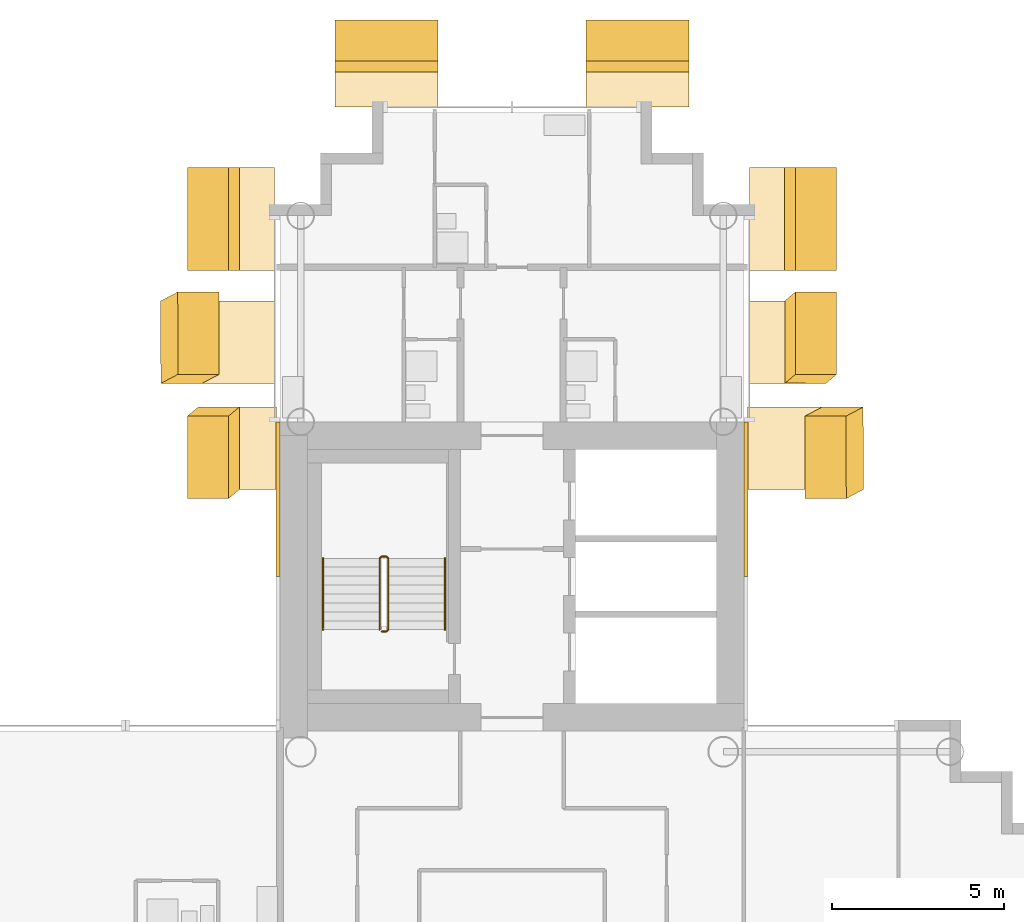
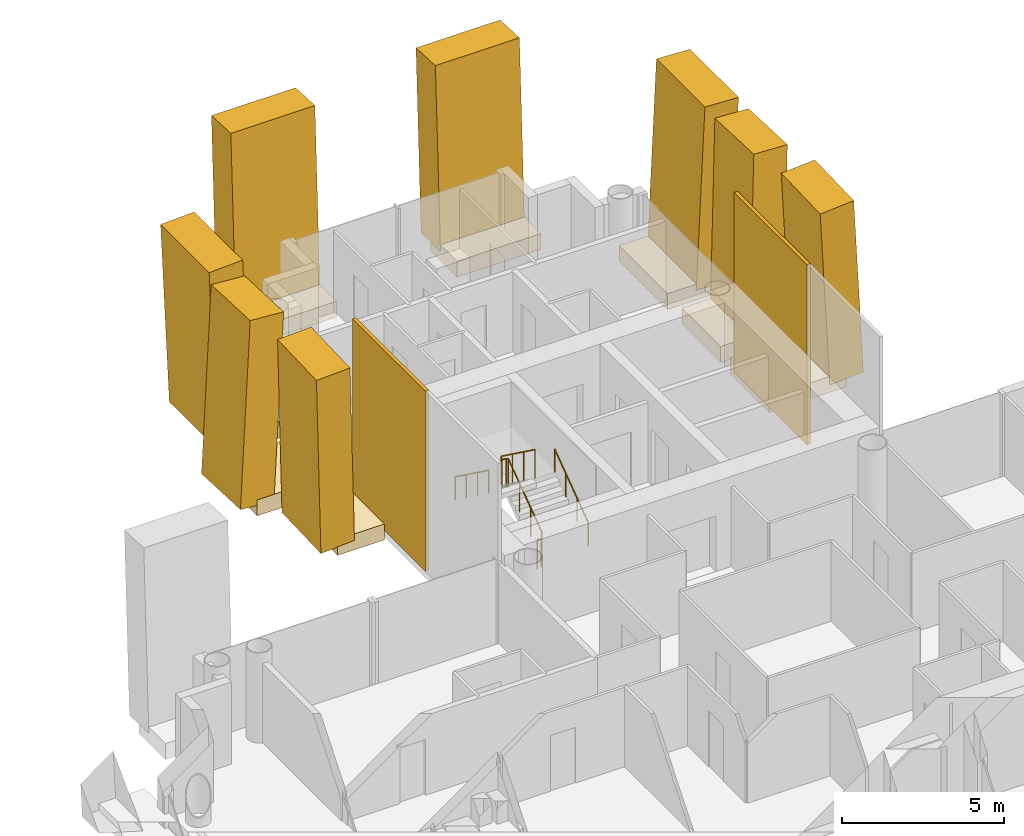
# One storey, part 17 of 18: 18 coverings, 3 railings.
"""IFC4 building model written with IfcOpenShell, lengths in metres."""

from ifc_helpers import new_model, si_unit, direction, frame, origin, origin_2d, place, context, subcontext, project, spatial, rectangle, circle, extrude, material, layer, layer_set, material_profile, profile_set, type_object, element, save


model = new_model("IFC4")

# Units and contexts
model_context = context("Model", 3, precision=1e-05, world=origin(), true_north=direction((0.0, 1.0)))
body_context = subcontext(model_context, "Body", "Model", "MODEL_VIEW")
ifc_project = project(units=[si_unit("LENGTHUNIT", "METRE"), si_unit("AREAUNIT", "SQUARE_METRE"), si_unit("VOLUMEUNIT", "CUBIC_METRE"), si_unit("PLANEANGLEUNIT", "RADIAN"), si_unit("MASSUNIT", "GRAM", prefix="KILO")], contexts=[model_context])

# Site, building, storey
site_placement = place(None, origin())
site = spatial("IfcSite", under=ifc_project, at=site_placement, CompositionType="ELEMENT")
building_placement = place(site_placement, origin())
building = spatial("IfcBuilding", under=site, at=building_placement, Name="Ipe Terrace Towers", CompositionType="ELEMENT")
storey_placement = place(building_placement, frame((0.0, 0.0, 171.10009765625)))
storey = spatial("IfcBuildingStorey", under=building, at=storey_placement, Name="L47", CompositionType="ELEMENT", Elevation=171.10009765625)

# Coverings
ifc_material_1 = material(Name="Concrete C50/60 precast, buff finish", Category="concrete")
ifc_layer = layer(ifc_material_1, 0.1201171875)
ifc_layer_set = layer_set([ifc_layer], Name="STONE CORE CLADDING 120")
covering_type_1 = type_object("IfcCoveringType", Name="STONE CORE CLADDING 120", PredefinedType="CLADDING", material=ifc_layer_set)
for number, where, z_axis, x_axis, name in (
    (1, (29.18994140625, 13.5, 0.0), (0.0, 0.0, 1.0), (0.0, -1.0, 0.0), "stone core cladding"),
    (2, (42.81005859375, 13.5, 0.0), (0.0, 0.0, 1.0), (0.0, 1.0, 0.0), "stone core cladding"),
):
    element("IfcCovering", number, at=place(storey_placement, frame(where, z_axis=z_axis, x_axis=x_axis)), inside=storey, type_object=covering_type_1, Name=name, PredefinedType="CLADDING", context=body_context, shape_type="SweptSolid", body=[
        extrude(rectangle(XDim=4.5009765625, YDim=0.1201171875, at=origin_2d()), origin(), (0.0, 0.0, 1.0), 6.800048828125),
    ])
ifc_material_2 = material(Name="Concrete C50/60 precast, buff finish", Category="concrete")
ifc_material_profile_1 = material_profile(ifc_material_2, rectangle(XDim=2.39990234375, YDim=1.199951171875, at=origin_2d()), Name="STONE FIN 2400 x 1200")
ifc_profile_set_1 = profile_set([ifc_material_profile_1], Name="Concrete C50/60 precast, buff finish")
covering_type_2 = type_object("IfcCoveringType", Name="STONE FIN 2400 x 1200", PredefinedType="USERDEFINED", material=ifc_profile_set_1)
covering_1_placement = place(storey_placement, frame((26.373046875, 18.068115234375, 0.0), z_axis=(0.073135900405, 0.038822138914, 0.996566094949), x_axis=(0.002841434142, -0.99924613661, 0.038718015469)))
element("IfcCovering", 3, at=covering_1_placement, inside=storey, type_object=covering_type_2, Name="stone fin", ObjectType="FIN", PredefinedType="USERDEFINED", context=body_context, shape_type="SweptSolid", body=[
    extrude(rectangle(XDim=2.39990234375, YDim=1.199951171875, at=origin_2d()), origin(), (0.0, 0.0, 1.0), 6.8232421875),
])
for number, where, z_axis, x_axis, name in (
    (4, (27.464111328125, 14.98193359375, 0.0), (-0.04580249728, -0.038885531728, 0.998193391415), (0.001782402549, -0.999243671695, -0.038844660108), "stone fin"),
    (5, (44.535888671875, 18.068115234375, 0.0), (0.04580249728, 0.038885531728, 0.998193391415), (-0.001782402549, 0.999243671695, -0.038844660108), "stone fin"),
):
    element("IfcCovering", number, at=place(storey_placement, frame(where, z_axis=z_axis, x_axis=x_axis)), inside=storey, type_object=covering_type_2, Name=name, ObjectType="FIN", PredefinedType="USERDEFINED", context=body_context, shape_type="SweptSolid", body=[
        extrude(rectangle(XDim=2.39990234375, YDim=1.199951171875, at=origin_2d()), origin(), (0.0, 0.0, 1.0), 6.81201171875),
    ])
covering_2_placement = place(storey_placement, frame((45.626953125, 14.98193359375, 0.0), z_axis=(-0.073135900405, -0.038822138914, 0.996566094949), x_axis=(-0.002841434142, 0.99924613661, 0.038718015469)))
element("IfcCovering", 6, at=covering_2_placement, inside=storey, type_object=covering_type_2, Name="stone fin", ObjectType="FIN", PredefinedType="USERDEFINED", context=body_context, shape_type="SweptSolid", body=[
    extrude(rectangle(XDim=2.39990234375, YDim=1.199951171875, at=origin_2d()), origin(), (0.0, 0.0, 1.0), 6.8232421875),
])
ifc_material_3 = material(Name="Concrete C50/60 precast, buff finish", Category="concrete")
ifc_material_profile_2 = material_profile(ifc_material_3, rectangle(XDim=3.0, YDim=1.199951171875, at=origin_2d()), Name="STONE FIN CORNER 3000 x 1200")
ifc_profile_set_2 = profile_set([ifc_material_profile_2], Name="Concrete C50/60 precast, buff finish")
covering_type_3 = type_object("IfcCoveringType", Name="STONE FIN CORNER 3000 x 1200", PredefinedType="USERDEFINED", material=ifc_profile_set_2)
for number, where, z_axis, x_axis, name in (
    (7, (27.464111328125, 21.64990234375, 0.0), (-0.045837165225, 0.0, 0.998948924762), (0.0, -1.0, 0.0), "stone fin"),
    (8, (32.35009765625, 26.535888671875, 0.0), (0.0, 0.045837165225, 0.998948924762), (-1.0, 0.0, 0.0), "stone fin"),
    (9, (39.64990234375, 26.535888671875, 0.0), (0.0, 0.045837165225, 0.998948924762), (-1.0, 0.0, 0.0), "stone fin"),
    (10, (44.535888671875, 21.64990234375, 0.0), (0.045837165225, 0.0, 0.998948924762), (0.0, 1.0, 0.0), "stone fin"),
):
    element("IfcCovering", number, at=place(storey_placement, frame(where, z_axis=z_axis, x_axis=x_axis)), inside=storey, type_object=covering_type_3, Name=name, ObjectType="FIN", PredefinedType="USERDEFINED", context=body_context, shape_type="SweptSolid", body=[
        extrude(rectangle(XDim=3.0, YDim=1.199951171875, at=origin_2d()), origin(), (0.0, 0.0, 1.0), 6.806884765625),
    ])
ifc_material_4 = material(Name="Concrete C50/60 precast, buff finish", Category="concrete")
covering_type_4 = type_object("IfcCoveringType", Name="STONE FIN SHELF 2400 x 600", PredefinedType="CLADDING", material=ifc_material_4)
covering_3_placement = place(storey_placement, frame((27.72900390625, 18.068115234375, -0.35009765625), z_axis=(0.0, 0.0, 1.0), x_axis=(0.0, -1.0, 0.0)))
element("IfcCovering", 11, at=covering_3_placement, inside=storey, type_object=covering_type_4, Name="stone fin shelf", PredefinedType="CLADDING", context=body_context, shape_type="SweptSolid", body=[
    extrude(rectangle(XDim=2.39990234375, YDim=2.7109375, at=origin_2d()), origin(), (0.0, 0.0, 1.0), 0.60009765625),
])
covering_4_placement = place(storey_placement, frame((28.302001953125, 14.98193359375, -0.35009765625), z_axis=(0.0, 0.0, 1.0), x_axis=(0.0, -1.0, 0.0)))
element("IfcCovering", 12, at=covering_4_placement, inside=storey, type_object=covering_type_4, Name="stone fin shelf", PredefinedType="CLADDING", context=body_context, shape_type="SweptSolid", body=[
    extrude(rectangle(XDim=2.39990234375, YDim=1.676025390625, at=origin_2d()), origin(), (0.0, 0.0, 1.0), 0.60009765625),
])
covering_5_placement = place(storey_placement, frame((43.72607421875, 18.068115234375, -0.35009765625), z_axis=(0.0, 0.0, 1.0), x_axis=(0.0, 1.0, 0.0)))
element("IfcCovering", 13, at=covering_5_placement, inside=storey, type_object=covering_type_4, Name="stone fin shelf", PredefinedType="CLADDING", context=body_context, shape_type="SweptSolid", body=[
    extrude(rectangle(XDim=2.39990234375, YDim=1.6201171875, at=origin_2d()), origin(), (0.0, 0.0, 1.0), 0.60009765625),
])
covering_6_placement = place(storey_placement, frame((44.243896484375, 14.98193359375, -0.35009765625), z_axis=(0.0, 0.0, 1.0), x_axis=(0.0, 1.0, 0.0)))
element("IfcCovering", 14, at=covering_6_placement, inside=storey, type_object=covering_type_4, Name="stone fin shelf", PredefinedType="CLADDING", context=body_context, shape_type="SweptSolid", body=[
    extrude(rectangle(XDim=2.39990234375, YDim=2.76708984375, at=origin_2d()), origin(), (0.0, 0.0, 1.0), 0.60009765625),
])
ifc_material_5 = material(Name="Concrete C50/60 precast, buff finish", Category="concrete")
covering_type_5 = type_object("IfcCoveringType", Name="STONE FIN SHELF 3000 x 600", PredefinedType="CLADDING", material=ifc_material_5)
for number, where, z_axis, x_axis, name in (
    (15, (28.27392578125, 21.64990234375, -0.35009765625), (0.0, 0.0, 1.0), (0.0, -1.0, 0.0), "stone fin shelf"),
    (16, (32.35009765625, 25.72607421875, -0.35009765625), (0.0, 0.0, 1.0), (-1.0, 0.0, 0.0), "stone fin shelf"),
    (17, (39.64990234375, 25.72607421875, -0.35009765625), (0.0, 0.0, 1.0), (-1.0, 0.0, 0.0), "stone fin shelf"),
    (18, (43.72607421875, 21.64990234375, -0.35009765625), (0.0, 0.0, 1.0), (0.0, 1.0, 0.0), "stone fin shelf"),
):
    element("IfcCovering", number, at=place(storey_placement, frame(where, z_axis=z_axis, x_axis=x_axis)), inside=storey, type_object=covering_type_5, Name=name, PredefinedType="CLADDING", context=body_context, shape_type="SweptSolid", body=[
        extrude(rectangle(XDim=3.0, YDim=1.6201171875, at=origin_2d()), origin(), (0.0, 0.0, 1.0), 0.60009765625),
    ])

# Railings
ifc_material_6 = material(Name="Steel S355", Category="steel")
railing_type_1 = type_object("IfcRailingType", Name="Stair guard 1100", PredefinedType="GUARDRAIL", material=ifc_material_6)
railing_1_placement = place(storey_placement, frame((32.199951171875, 9.64990234375, 0.0)))
element("IfcRailing", 19, at=railing_1_placement, inside=storey, type_object=railing_type_1, Name="L47 T2-ST1 stair guard 1", PredefinedType="GUARDRAIL", context=body_context, shape_type="SweptSolid", body=[
    extrude(circle(Radius=0.02392578125, at=origin_2d()), frame((0.0, 0.0, 1.076171875), z_axis=(1.0, 0.0, 0.0), x_axis=(0.0, 1.0, 0.0)), (0.0, 0.0, 1.0), 0.150146484375),
    extrude(circle(Radius=0.02392578125, at=origin_2d()), frame((0.150146484375, 0.0, 1.076171875), z_axis=(0.247173786771, 0.248385422981, 0.936594790069), x_axis=(-0.708833529934, 0.705375805398, 0.0)), (0.0, 0.0, 1.0), 0.201416015625),
    extrude(circle(Radius=0.02392578125, at=origin_2d()), frame((0.199951171875, 0.050048828125, 1.2646484375), z_axis=(0.0, 0.809023421508, 0.587776406001), x_axis=(-1.0, 0.0, 0.0)), (0.0, 0.0, 1.0), 2.571044921875),
    extrude(circle(Radius=0.02392578125, at=origin_2d()), frame((0.199951171875, 2.130126953125, 2.77587890625), z_axis=(-0.705375805398, 0.708833529934, 0.0), x_axis=(-0.708833529934, -0.705375805398, 0.0)), (0.0, 0.0, 1.0), 0.070556640625),
    extrude(circle(Radius=0.02392578125, at=origin_2d()), frame((0.150146484375, 2.18017578125, 2.77587890625), z_axis=(-1.0, 0.0, 0.0), x_axis=(0.0, -1.0, 0.0)), (0.0, 0.0, 1.0), 0.150146484375),
    extrude(circle(Radius=0.02392578125, at=origin_2d()), frame((0.0, 2.18017578125, 2.77587890625), z_axis=(-0.248310886586, -0.248310886586, 0.936313733321), x_axis=(0.707106781187, -0.707106781187, 0.0)), (0.0, 0.0, 1.0), 0.20166015625),
    extrude(circle(Radius=0.02392578125, at=origin_2d()), frame((-0.050048828125, 2.130126953125, 2.96484375), z_axis=(0.0, -0.809023421508, 0.587776406001), x_axis=(1.0, 0.0, 0.0)), (0.0, 0.0, 1.0), 2.571044921875),
    extrude(circle(Radius=0.02099609375, at=origin_2d()), origin(), (0.0, 0.0, 1.0), 1.052001953125),
    extrude(circle(Radius=0.02099609375, at=origin_2d()), frame((0.150146484375, 0.0, 0.0)), (0.0, 0.0, 1.0), 1.052001953125),
    extrude(circle(Radius=0.02099609375, at=origin_2d()), frame((0.199951171875, 0.050048828125, 0.188720703125)), (0.0, 0.0, 1.0), 1.052001953125),
    extrude(circle(Radius=0.02099609375, at=origin_2d()), frame((0.199951171875, 0.743408203125, 0.6923828125)), (0.0, 0.0, 1.0), 1.052001953125),
    extrude(circle(Radius=0.02099609375, at=origin_2d()), frame((0.199951171875, 1.436767578125, 1.1962890625)), (0.0, 0.0, 1.0), 1.052001953125),
    extrude(circle(Radius=0.02099609375, at=origin_2d()), frame((0.199951171875, 2.130126953125, 1.699951171875)), (0.0, 0.0, 1.0), 1.052001953125),
    extrude(circle(Radius=0.02099609375, at=origin_2d()), frame((0.150146484375, 2.18017578125, 1.699951171875)), (0.0, 0.0, 1.0), 1.052001953125),
    extrude(circle(Radius=0.02099609375, at=origin_2d()), frame((0.0, 2.18017578125, 1.699951171875)), (0.0, 0.0, 1.0), 1.052001953125),
    extrude(circle(Radius=0.02099609375, at=origin_2d()), frame((-0.050048828125, 2.130126953125, 1.888671875)), (0.0, 0.0, 1.0), 1.052001953125),
    extrude(circle(Radius=0.02099609375, at=origin_2d()), frame((-0.050048828125, 1.436767578125, 2.392333984375)), (0.0, 0.0, 1.0), 1.052001953125),
    extrude(circle(Radius=0.02099609375, at=origin_2d()), frame((-0.050048828125, 0.743408203125, 2.896240234375)), (0.0, 0.0, 1.0), 1.052001953125),
    extrude(circle(Radius=0.02099609375, at=origin_2d()), frame((-0.050048828125, 0.050048828125, 3.39990234375)), (0.0, 0.0, 1.0), 1.052001953125),
])
ifc_material_7 = material(Name="Stainless steel grade 304", Category="steel")
railing_type_2 = type_object("IfcRailingType", Name="Stair handrail 900", PredefinedType="HANDRAIL", material=ifc_material_7)
railing_2_placement = place(storey_placement, frame((34.050048828125, 9.699951171875, 0.188720703125)))
element("IfcRailing", 20, at=railing_2_placement, inside=storey, type_object=railing_type_2, Name="L47 T2-ST1 stair handrail 1", PredefinedType="HANDRAIL", context=body_context, shape_type="SweptSolid", body=[
    extrude(circle(Radius=0.02392578125, at=origin_2d()), frame((0.0, 0.0, 0.8759765625), z_axis=(0.0, 0.809023421508, 0.587776406001), x_axis=(-1.0, 0.0, 0.0)), (0.0, 0.0, 1.0), 2.571044921875),
    extrude(circle(Radius=0.02099609375, at=origin_2d()), origin(), (0.0, 0.0, 1.0), 0.851806640625),
    extrude(circle(Radius=0.02099609375, at=origin_2d()), frame((0.0, 0.693359375, 0.503662109375)), (0.0, 0.0, 1.0), 0.851806640625),
    extrude(circle(Radius=0.02099609375, at=origin_2d()), frame((0.0, 1.38671875, 1.007568359375)), (0.0, 0.0, 1.0), 0.851806640625),
    extrude(circle(Radius=0.02099609375, at=origin_2d()), frame((0.0, 2.080078125, 1.51123046875)), (0.0, 0.0, 1.0), 0.851806640625),
])
railing_3_placement = place(storey_placement, frame((30.5, 11.780029296875, 1.888671875)))
element("IfcRailing", 21, at=railing_3_placement, inside=storey, type_object=railing_type_2, Name="L47 T2-ST1 stair handrail 2", PredefinedType="HANDRAIL", context=body_context, shape_type="SweptSolid", body=[
    extrude(circle(Radius=0.02392578125, at=origin_2d()), frame((0.0, 0.0, 0.8759765625), z_axis=(0.0, -0.809023421508, 0.587776406001), x_axis=(1.0, 0.0, 0.0)), (0.0, 0.0, 1.0), 2.571044921875),
    extrude(circle(Radius=0.02099609375, at=origin_2d()), origin(), (0.0, 0.0, 1.0), 0.851806640625),
    extrude(circle(Radius=0.02099609375, at=origin_2d()), frame((0.0, -0.693359375, 0.503662109375)), (0.0, 0.0, 1.0), 0.851806640625),
    extrude(circle(Radius=0.02099609375, at=origin_2d()), frame((0.0, -1.38671875, 1.007568359375)), (0.0, 0.0, 1.0), 0.851806640625),
    extrude(circle(Radius=0.02099609375, at=origin_2d()), frame((0.0, -2.080078125, 1.51123046875)), (0.0, 0.0, 1.0), 0.851806640625),
])

save(model, "model.ifc")
